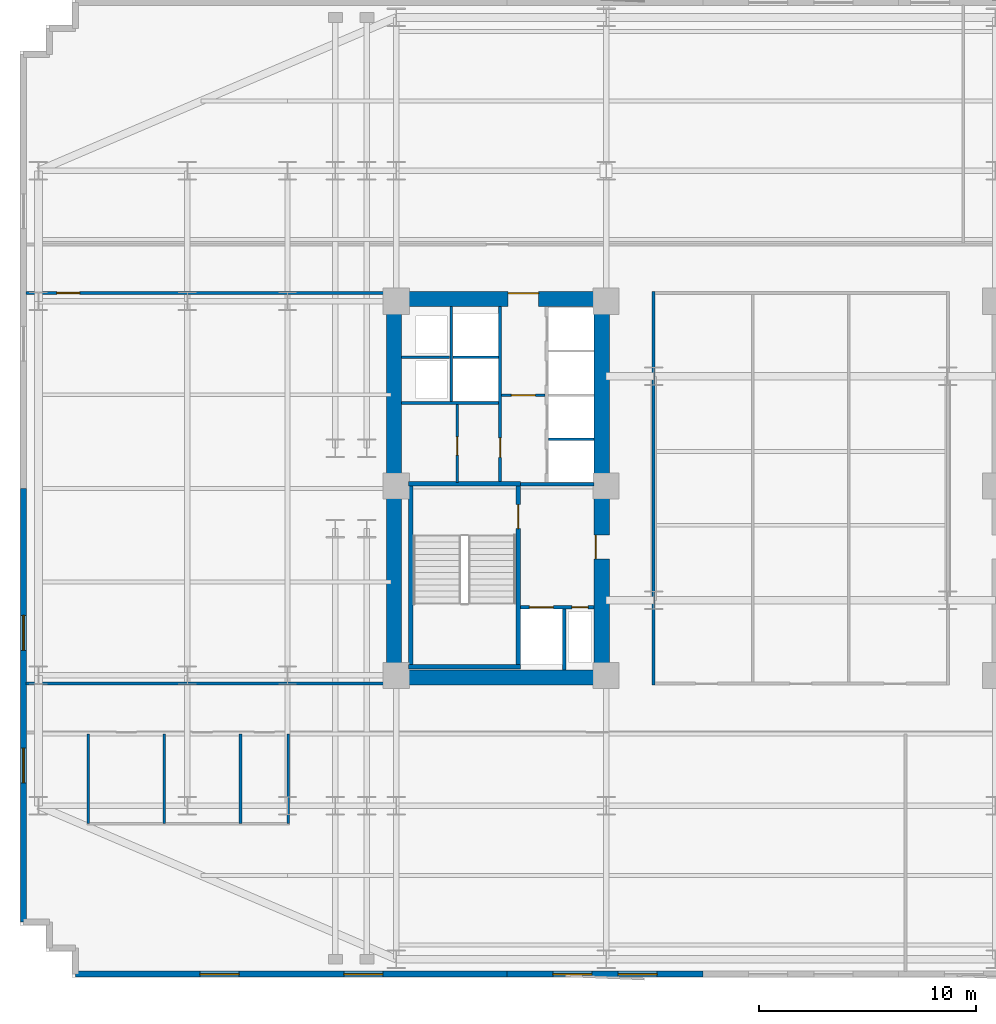
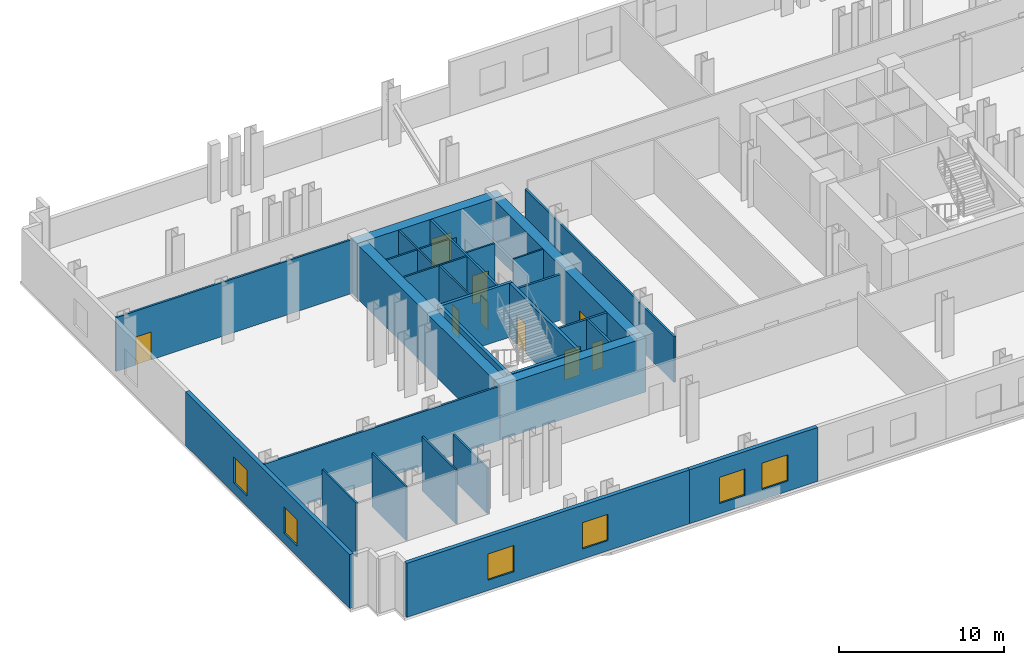
# One storey, part 4 of 9: 29 walls, 9 doors, 6 windows, 15 openings.
"""IFC4 building model written with IfcOpenShell, lengths in metres."""

from ifc_helpers import new_model, si_unit, direction, frame, frame_2d, origin, place, context, subcontext, project, spatial, rectangle, extrude, material, layer, layer_set, type_object, element, fill, save


model = new_model("IFC4")

# Units and contexts
model_context = context("Model", 3, precision=1e-05, world=origin(), true_north=direction((0.0, 1.0)))
body_context = subcontext(model_context, "Body", "Model", "MODEL_VIEW")
ifc_project = project(units=[si_unit("LENGTHUNIT", "METRE"), si_unit("AREAUNIT", "SQUARE_METRE"), si_unit("VOLUMEUNIT", "CUBIC_METRE"), si_unit("PLANEANGLEUNIT", "RADIAN"), si_unit("MASSUNIT", "GRAM", prefix="KILO")], contexts=[model_context])

# Site, building, storey
site_placement = place(None, origin())
site = spatial("IfcSite", under=ifc_project, at=site_placement, CompositionType="ELEMENT")
building_placement = place(site_placement, origin())
building = spatial("IfcBuilding", under=site, at=building_placement, Name="Velakula Bourse", CompositionType="ELEMENT")
storey_placement = place(building_placement, frame((0.0, 0.0, 65.699951171875)))
storey = spatial("IfcBuildingStorey", under=building, at=storey_placement, Name="L17", CompositionType="ELEMENT", Elevation=65.699951171875)

# Wall, opening, door
ifc_material_1 = material(Name="Concrete M50 (fck 50 MPa)", Category="concrete")
ifc_layer_1 = layer(ifc_material_1, 0.2099609375, Name="Concrete M50 (fck 50 MPa)", Category="concrete")
ifc_layer_set_1 = layer_set([ifc_layer_1], Name="Concrete M50 (fck 50 MPa)")
wall_type_1 = type_object("IfcWallType", Name="WL-CORE-210", PredefinedType="SHEAR", material=ifc_layer_set_1)
wall_1_placement = place(storey_placement, frame((-12.9951171875, -8.10009765625, 0.0), z_axis=(0.0, 0.0, 1.0), x_axis=(0.0, 1.0, 0.0)))
wall_1 = element("IfcWall", 1, at=wall_1_placement, inside=storey, type_object=wall_type_1, Name="L17 Core W Stairwell Shear Wall IN", PredefinedType="SHEAR", context=body_context, shape_type="SweptSolid", body=[
    extrude(rectangle(XDim=8.2001953125, YDim=0.2099609375, at=frame_2d((4.10009765625, 0.0))), origin(), (0.0, 0.0, 1.0), 4.02001953125),
])
opening_1_placement = place(wall_1_placement, frame((6.25, 0.0, 0.0)))
opening_1 = element("IfcOpeningElement", 2, at=opening_1_placement, cuts=wall_1, Name="Opening D-STW1", PredefinedType="OPENING", context=body_context, shape_type="SweptSolid", body=[
    extrude(rectangle(XDim=1.10009765625, YDim=2.14990234375, at=frame_2d((0.550048828125, 1.074951171875))), frame((0.0, 0.114990234375, 0.0), z_axis=(0.0, -1.0, 0.0), x_axis=(1.0, 0.0, 0.0)), (0.0, 0.0, 1.0), 0.22998046875),
])
ifc_material_2 = material(Name="Galvanised painted hollow steel fire door", Category="steel")
door_type_1 = type_object("IfcDoorType", Name="DR-FD120-1100x2150", OperationType="NOTDEFINED", PredefinedType="DOOR", material=ifc_material_2)
door_1_placement = place(opening_1_placement, origin())
door_1 = element("IfcDoor", 3, at=door_1_placement, inside=storey, type_object=door_type_1, Name="L17 Stair ST-W1 Fire Door", OperationType="SINGLE_SWING_LEFT", OverallHeight=2.14990234375, OverallWidth=1.10009765625, PredefinedType="DOOR", context=body_context, shape_type="SweptSolid", body=[
    extrude(rectangle(XDim=1.10009765625, YDim=2.14990234375, at=frame_2d((0.550048828125, 1.074951171875))), frame((0.0, 0.02490234375, 0.0), z_axis=(0.0, -1.0, 0.0), x_axis=(1.0, 0.0, 0.0)), (0.0, 0.0, 1.0), 0.050048828125),
])
fill(opening_1, door_1)

# Walls
wall_2_placement = place(storey_placement, frame((-17.925048828125, -8.10009765625, 0.0), z_axis=(0.0, 0.0, 1.0), x_axis=(0.0, 1.0, 0.0)))
element("IfcWall", 4, at=wall_2_placement, inside=storey, type_object=wall_type_1, Name="L17 Core W Stairwell Shear Wall OUT", PredefinedType="SHEAR", context=body_context, shape_type="SweptSolid", body=[
    extrude(rectangle(XDim=8.2001953125, YDim=0.2099609375, at=frame_2d((4.10009765625, 0.0))), origin(), (0.0, 0.0, 1.0), 4.02001953125),
])
for number, where, z_axis, x_axis, name in (
    (5, (-18.030029296875, -8.205078125, 0.0), (0.0, 0.0, 1.0), (1.0, 0.0, 0.0), "L17 Core W Stairwell Shear Wall S"),
    (6, (-12.889892578125, 0.205078125, 0.0), (0.0, 0.0, 1.0), (-1.0, 0.0, 0.0), "L17 Core W Stairwell Shear Wall N"),
):
    element("IfcWall", number, at=place(storey_placement, frame(where, z_axis=z_axis, x_axis=x_axis)), inside=storey, type_object=wall_type_1, Name=name, PredefinedType="SHEAR", context=body_context, shape_type="SweptSolid", body=[
        extrude(rectangle(XDim=5.14013671875, YDim=0.2099609375, at=frame_2d((2.570068359375, 0.0))), origin(), (0.0, 0.0, 1.0), 4.02001953125),
    ])
ifc_material_3 = material(Name="Concrete M70 (fck 70 MPa)", Category="concrete")
ifc_layer_2 = layer(ifc_material_3, 0.699951171875, Name="Concrete M70 (fck 70 MPa)", Category="concrete")
ifc_layer_set_2 = layer_set([ifc_layer_2], Name="Concrete M70 (fck 70 MPa)")
wall_type_2 = type_object("IfcWallType", Name="WL-CORE-700", PredefinedType="SHEAR", material=ifc_layer_set_2)
wall_3_placement = place(storey_placement, frame((-19.050048828125, -8.699951171875, 0.0), z_axis=(0.0, 0.0, 1.0), x_axis=(1.0, 0.0, 0.0)))
element("IfcWall", 7, at=wall_3_placement, inside=storey, type_object=wall_type_2, Name="L17 Core W Shear Wall S", PredefinedType="SHEAR", context=body_context, shape_type="SweptSolid", body=[
    extrude(rectangle(XDim=10.25, YDim=0.699951171875, at=frame_2d((5.125, 0.0))), origin(), (0.0, 0.0, 1.0), 4.02001953125),
])

# Wall, opening, door
wall_4_placement = place(storey_placement, frame((-19.050048828125, 8.699951171875, 0.0), z_axis=(0.0, 0.0, 1.0), x_axis=(1.0, 0.0, 0.0)))
wall_4 = element("IfcWall", 8, at=wall_4_placement, inside=storey, type_object=wall_type_2, Name="L17 Core W Shear Wall N", PredefinedType="SHEAR", context=body_context, shape_type="SweptSolid", body=[
    extrude(rectangle(XDim=10.25, YDim=0.699951171875, at=frame_2d((5.125, 0.0))), origin(), (0.0, 0.0, 1.0), 4.02001953125),
])
opening_2_placement = place(wall_4_placement, frame((5.60009765625, 0.0, 0.0)))
opening_2 = element("IfcOpeningElement", 9, at=opening_2_placement, cuts=wall_4, Name="Opening D-LLW", PredefinedType="OPENING", context=body_context, shape_type="SweptSolid", body=[
    extrude(rectangle(XDim=1.39990234375, YDim=2.050048828125, at=frame_2d((0.699951171875, 1.02490234375))), frame((0.0, 0.35986328125, 0.0), z_axis=(0.0, -1.0, 0.0), x_axis=(1.0, 0.0, 0.0)), (0.0, 0.0, 1.0), 0.719970703125),
])
ifc_material_4 = material(Name="Fire-rated hardwood flush architectural door", Category="wood")
door_type_2 = type_object("IfcDoorType", Name="DR-DBL-FD60-1400", OperationType="DOUBLE_DOOR_SINGLE_SWING", PredefinedType="DOOR", material=ifc_material_4)
door_2_placement = place(opening_2_placement, origin())
door_2 = element("IfcDoor", 10, at=door_2_placement, inside=storey, type_object=door_type_2, Name="L17 Core W Lift Lobby Corridor Double Door", OperationType="DOUBLE_DOOR_SINGLE_SWING", OverallHeight=2.050048828125, OverallWidth=1.39990234375, PredefinedType="DOOR", context=body_context, shape_type="SweptSolid", body=[
    extrude(rectangle(XDim=1.39990234375, YDim=2.050048828125, at=frame_2d((0.699951171875, 1.02490234375))), frame((0.0, 0.294921875, 0.0), z_axis=(0.0, -1.0, 0.0), x_axis=(1.0, 0.0, 0.0)), (0.0, 0.0, 1.0), 0.050048828125),
])
fill(opening_2, door_2)

# Wall
wall_5_placement = place(storey_placement, frame((-18.699951171875, -8.35009765625, 0.0), z_axis=(0.0, 0.0, 1.0), x_axis=(0.0, 1.0, 0.0)))
element("IfcWall", 11, at=wall_5_placement, inside=storey, type_object=wall_type_2, Name="L17 Core W Shear Wall W", PredefinedType="SHEAR", context=body_context, shape_type="SweptSolid", body=[
    extrude(rectangle(XDim=16.7001953125, YDim=0.699951171875, at=frame_2d((8.35009765625, 0.0))), origin(), (0.0, 0.0, 1.0), 4.02001953125),
])

# Wall, opening, door
wall_6_placement = place(storey_placement, frame((-9.14990234375, -8.35009765625, 0.0), z_axis=(0.0, 0.0, 1.0), x_axis=(0.0, 1.0, 0.0)))
wall_6 = element("IfcWall", 12, at=wall_6_placement, inside=storey, type_object=wall_type_2, Name="L17 Core W Shear Wall E", PredefinedType="SHEAR", context=body_context, shape_type="SweptSolid", body=[
    extrude(rectangle(XDim=16.7001953125, YDim=0.699951171875, at=frame_2d((8.35009765625, 0.0))), origin(), (0.0, 0.0, 1.0), 4.02001953125),
])
opening_3_placement = place(wall_6_placement, frame((5.10009765625, 0.0, 0.0)))
opening_3 = element("IfcOpeningElement", 13, at=opening_3_placement, cuts=wall_6, Name="Opening D-FLW", PredefinedType="OPENING", context=body_context, shape_type="SweptSolid", body=[
    extrude(rectangle(XDim=1.10009765625, YDim=2.080078125, at=frame_2d((0.550048828125, 1.0400390625))), frame((0.0, 0.35986328125, 0.0), z_axis=(0.0, -1.0, 0.0), x_axis=(1.0, 0.0, 0.0)), (0.0, 0.0, 1.0), 0.719970703125),
])
door_type_3 = type_object("IfcDoorType", Name="DR-FD120-1100", OperationType="NOTDEFINED", PredefinedType="DOOR", material=ifc_material_2)
door_3_placement = place(opening_3_placement, origin())
door_3 = element("IfcDoor", 14, at=door_3_placement, inside=storey, type_object=door_type_3, Name="L17 Firefighting Lobby W Corridor Fire Door", OperationType="SINGLE_SWING_LEFT", OverallHeight=2.080078125, OverallWidth=1.10009765625, PredefinedType="DOOR", context=body_context, shape_type="SweptSolid", body=[
    extrude(rectangle(XDim=1.10009765625, YDim=2.080078125, at=frame_2d((0.550048828125, 1.0400390625))), frame((0.0, 0.30517578125, 0.0), z_axis=(0.0, -1.0, 0.0), x_axis=(1.0, 0.0, 0.0)), (0.0, 0.0, 1.0), 0.050048828125),
])
fill(opening_3, door_3)

# Wall, openings, windows
ifc_material_5 = material(Name="Red kilned clay facing brick masonry", Category="masonry")
ifc_layer_3 = layer(ifc_material_5, 0.280029296875, Name="Red kilned clay facing brick masonry", Category="masonry")
ifc_layer_set_3 = layer_set([ifc_layer_3], Name="Red kilned clay facing brick masonry")
wall_type_3 = type_object("IfcWallType", Name="WL-EXT-BRK-280", PredefinedType="STANDARD", material=ifc_layer_set_3)
wall_7_placement = place(storey_placement, frame((-13.5, -22.340087890625, 0.0), z_axis=(0.0, 0.0, 1.0), x_axis=(-1.0, 0.0, 0.0)))
wall_7 = element("IfcWall", 15, at=wall_7_placement, inside=storey, type_object=wall_type_3, Name="L17 S Brick Spandrel Wall B1", PredefinedType="STANDARD", context=body_context, shape_type="SweptSolid", body=[
    extrude(rectangle(XDim=19.840087890625, YDim=0.280029296875, at=frame_2d((9.919921875, 0.0))), origin(), (0.0, 0.0, 1.0), 4.0),
])
opening_4_placement = place(wall_7_placement, frame((5.71337890625, 0.0, 0.760009765625)))
opening_4 = element("IfcOpeningElement", 16, at=opening_4_placement, cuts=wall_7, Name="Opening W-01", PredefinedType="OPENING", context=body_context, shape_type="SweptSolid", body=[
    extrude(rectangle(XDim=1.800048828125, YDim=1.949951171875, at=frame_2d((0.89990234375, 0.97509765625))), frame((0.0, 0.14990234375, 0.0), z_axis=(0.0, -1.0, 0.0), x_axis=(1.0, 0.0, 0.0)), (0.0, 0.0, 1.0), 0.300048828125),
])
opening_5_placement = place(wall_7_placement, frame((12.32666015625, 0.0, 0.760009765625)))
opening_5 = element("IfcOpeningElement", 17, at=opening_5_placement, cuts=wall_7, Name="Opening W-01", PredefinedType="OPENING", context=body_context, shape_type="SweptSolid", body=[
    extrude(rectangle(XDim=1.800048828125, YDim=1.949951171875, at=frame_2d((0.89990234375, 0.97509765625))), frame((0.0, 0.14990234375, 0.0), z_axis=(0.0, -1.0, 0.0), x_axis=(1.0, 0.0, 0.0)), (0.0, 0.0, 1.0), 0.300048828125),
])
ifc_material_6 = material(Name="Double-glazed solar-control Low-E glass", Category="glass")
window_type_1 = type_object("IfcWindowType", Name="WIN-TWR-1800x2100", PartitioningType="SINGLE_PANEL", PredefinedType="WINDOW", material=ifc_material_6)
window_1_placement = place(opening_4_placement, origin())
window_1 = element("IfcWindow", 18, at=window_1_placement, inside=storey, type_object=window_type_1, Name="L17 Deep-Set Recessed Window 1", OverallHeight=1.949951171875, OverallWidth=1.800048828125, PartitioningType="SINGLE_PANEL", PredefinedType="WINDOW", context=body_context, shape_type="SweptSolid", body=[
    extrude(rectangle(XDim=1.800048828125, YDim=1.949951171875, at=frame_2d((0.89990234375, 0.97509765625))), frame((0.0, 0.030029296875, 0.0), z_axis=(0.0, -1.0, 0.0), x_axis=(1.0, 0.0, 0.0)), (0.0, 0.0, 1.0), 0.06005859375),
])
fill(opening_4, window_1)
window_2_placement = place(opening_5_placement, origin())
window_2 = element("IfcWindow", 19, at=window_2_placement, inside=storey, type_object=window_type_1, Name="L17 Deep-Set Recessed Window 2", OverallHeight=1.949951171875, OverallWidth=1.800048828125, PartitioningType="SINGLE_PANEL", PredefinedType="WINDOW", context=body_context, shape_type="SweptSolid", body=[
    extrude(rectangle(XDim=1.800048828125, YDim=1.949951171875, at=frame_2d((0.89990234375, 0.97509765625))), frame((0.0, 0.030029296875, 0.0), z_axis=(0.0, -1.0, 0.0), x_axis=(1.0, 0.0, 0.0)), (0.0, 0.0, 1.0), 0.06005859375),
])
fill(opening_5, window_2)

wall_8_placement = place(storey_placement, frame((-4.5, -22.340087890625, 0.0), z_axis=(0.0, 0.0, 1.0), x_axis=(-1.0, 0.0, 0.0)))
wall_8 = element("IfcWall", 20, at=wall_8_placement, inside=storey, type_object=wall_type_3, Name="L17 S Brick Spandrel Wall B2", PredefinedType="STANDARD", context=body_context, shape_type="SweptSolid", body=[
    extrude(rectangle(XDim=9.0, YDim=0.280029296875, at=frame_2d((4.5, 0.0))), origin(), (0.0, 0.0, 1.0), 4.0),
])
opening_6_placement = place(wall_8_placement, frame((2.10009765625, 0.0, 0.760009765625)))
opening_6 = element("IfcOpeningElement", 21, at=opening_6_placement, cuts=wall_8, Name="Opening W-01", PredefinedType="OPENING", context=body_context, shape_type="SweptSolid", body=[
    extrude(rectangle(XDim=1.800048828125, YDim=1.949951171875, at=frame_2d((0.89990234375, 0.97509765625))), frame((0.0, 0.14990234375, 0.0), z_axis=(0.0, -1.0, 0.0), x_axis=(1.0, 0.0, 0.0)), (0.0, 0.0, 1.0), 0.300048828125),
])
opening_7_placement = place(wall_8_placement, frame((5.10009765625, 0.0, 0.760009765625)))
opening_7 = element("IfcOpeningElement", 22, at=opening_7_placement, cuts=wall_8, Name="Opening W-01", PredefinedType="OPENING", context=body_context, shape_type="SweptSolid", body=[
    extrude(rectangle(XDim=1.800048828125, YDim=1.949951171875, at=frame_2d((0.89990234375, 0.97509765625))), frame((0.0, 0.14990234375, 0.0), z_axis=(0.0, -1.0, 0.0), x_axis=(1.0, 0.0, 0.0)), (0.0, 0.0, 1.0), 0.300048828125),
])
window_3_placement = place(opening_6_placement, origin())
window_3 = element("IfcWindow", 23, at=window_3_placement, inside=storey, type_object=window_type_1, Name="L17 Deep-Set Recessed Window 1", OverallHeight=1.949951171875, OverallWidth=1.800048828125, PartitioningType="SINGLE_PANEL", PredefinedType="WINDOW", context=body_context, shape_type="SweptSolid", body=[
    extrude(rectangle(XDim=1.800048828125, YDim=1.949951171875, at=frame_2d((0.89990234375, 0.97509765625))), frame((0.0, 0.030029296875, 0.0), z_axis=(0.0, -1.0, 0.0), x_axis=(1.0, 0.0, 0.0)), (0.0, 0.0, 1.0), 0.06005859375),
])
fill(opening_6, window_3)
window_4_placement = place(opening_7_placement, origin())
window_4 = element("IfcWindow", 24, at=window_4_placement, inside=storey, type_object=window_type_1, Name="L17 Deep-Set Recessed Window 2", OverallHeight=1.949951171875, OverallWidth=1.800048828125, PartitioningType="SINGLE_PANEL", PredefinedType="WINDOW", context=body_context, shape_type="SweptSolid", body=[
    extrude(rectangle(XDim=1.800048828125, YDim=1.949951171875, at=frame_2d((0.89990234375, 0.97509765625))), frame((0.0, 0.030029296875, 0.0), z_axis=(0.0, -1.0, 0.0), x_axis=(1.0, 0.0, 0.0)), (0.0, 0.0, 1.0), 0.06005859375),
])
fill(opening_7, window_4)

wall_9_placement = place(storey_placement, frame((-35.739990234375, -19.93994140625, 0.0), z_axis=(0.0, 0.0, 1.0), x_axis=(0.0, 1.0, 0.0)))
wall_9 = element("IfcWall", 25, at=wall_9_placement, inside=storey, type_object=wall_type_3, Name="L17 W Brick End Wall W1", PredefinedType="STANDARD", context=body_context, shape_type="SweptSolid", body=[
    extrude(rectangle(XDim=19.93994140625, YDim=0.280029296875, at=frame_2d((9.969970703125, 0.0))), origin(), (0.0, 0.0, 1.0), 4.0),
])
opening_8_placement = place(wall_9_placement, frame((6.396728515625, 0.0, 0.760009765625)))
opening_8 = element("IfcOpeningElement", 26, at=opening_8_placement, cuts=wall_9, Name="Opening W-02", PredefinedType="OPENING", context=body_context, shape_type="SweptSolid", body=[
    extrude(rectangle(XDim=1.60009765625, YDim=1.949951171875, at=frame_2d((0.800048828125, 0.97509765625))), frame((0.0, 0.14990234375, 0.0), z_axis=(0.0, -1.0, 0.0), x_axis=(1.0, 0.0, 0.0)), (0.0, 0.0, 1.0), 0.300048828125),
])
opening_9_placement = place(wall_9_placement, frame((12.493408203125, 0.0, 0.760009765625)))
opening_9 = element("IfcOpeningElement", 27, at=opening_9_placement, cuts=wall_9, Name="Opening W-02", PredefinedType="OPENING", context=body_context, shape_type="SweptSolid", body=[
    extrude(rectangle(XDim=1.60009765625, YDim=1.949951171875, at=frame_2d((0.800048828125, 0.97509765625))), frame((0.0, 0.14990234375, 0.0), z_axis=(0.0, -1.0, 0.0), x_axis=(1.0, 0.0, 0.0)), (0.0, 0.0, 1.0), 0.300048828125),
])
window_type_2 = type_object("IfcWindowType", Name="WIN-TWR-1600x2100", PartitioningType="SINGLE_PANEL", PredefinedType="WINDOW", material=ifc_material_6)
window_5_placement = place(opening_8_placement, origin())
window_5 = element("IfcWindow", 28, at=window_5_placement, inside=storey, type_object=window_type_2, Name="L17 Deep-Set Recessed Window 1", OverallHeight=1.949951171875, OverallWidth=1.60009765625, PartitioningType="SINGLE_PANEL", PredefinedType="WINDOW", context=body_context, shape_type="SweptSolid", body=[
    extrude(rectangle(XDim=1.60009765625, YDim=1.949951171875, at=frame_2d((0.800048828125, 0.97509765625))), frame((0.0, 0.030029296875, 0.0), z_axis=(0.0, -1.0, 0.0), x_axis=(1.0, 0.0, 0.0)), (0.0, 0.0, 1.0), 0.06005859375),
])
fill(opening_8, window_5)
window_6_placement = place(opening_9_placement, origin())
window_6 = element("IfcWindow", 29, at=window_6_placement, inside=storey, type_object=window_type_2, Name="L17 Deep-Set Recessed Window 2", OverallHeight=1.949951171875, OverallWidth=1.60009765625, PartitioningType="SINGLE_PANEL", PredefinedType="WINDOW", context=body_context, shape_type="SweptSolid", body=[
    extrude(rectangle(XDim=1.60009765625, YDim=1.949951171875, at=frame_2d((0.800048828125, 0.97509765625))), frame((0.0, 0.030029296875, 0.0), z_axis=(0.0, -1.0, 0.0), x_axis=(1.0, 0.0, 0.0)), (0.0, 0.0, 1.0), 0.06005859375),
])
fill(opening_9, window_6)

# Wall, opening, door
ifc_material_7 = material(Name="Fire-rated double-layer gypsum drywall partition", Category="gypsum")
ifc_layer_4 = layer(ifc_material_7, 0.1201171875, Name="Fire-rated double-layer gypsum drywall partition", Category="gypsum")
ifc_layer_set_4 = layer_set([ifc_layer_4], Name="Fire-rated double-layer gypsum drywall partition")
wall_type_4 = type_object("IfcWallType", Name="WL-PART-120", PredefinedType="STANDARD", material=ifc_layer_set_4)
wall_10_placement = place(storey_placement, frame((-13.75, 4.280029296875, 0.0), z_axis=(0.0, 0.0, 1.0), x_axis=(1.0, 0.0, 0.0)))
wall_10 = element("IfcWall", 30, at=wall_10_placement, inside=storey, type_object=wall_type_4, Name="L17 Interior Partition WL-CRW-L17-LL-K2", PredefinedType="STANDARD", context=body_context, shape_type="SweptSolid", body=[
    extrude(rectangle(XDim=2.0, YDim=0.1201171875, at=frame_2d((1.0, 0.0))), origin(), (0.0, 0.0, 1.0), 4.0),
])
opening_10_placement = place(wall_10_placement, frame((0.449951171875, 0.0, 0.0)))
opening_10 = element("IfcOpeningElement", 31, at=opening_10_placement, cuts=wall_10, Name="Opening D-LK2", PredefinedType="OPENING", context=body_context, shape_type="SweptSolid", body=[
    extrude(rectangle(XDim=1.10009765625, YDim=2.10009765625, at=frame_2d((0.550048828125, 1.050048828125))), frame((0.0, 0.070068359375, 0.0), z_axis=(0.0, -1.0, 0.0), x_axis=(1.0, 0.0, 0.0)), (0.0, 0.0, 1.0), 0.14013671875),
])
door_type_4 = type_object("IfcDoorType", Name="DR-FD60-1100x2100", OperationType="NOTDEFINED", PredefinedType="DOOR", material=ifc_material_4)
door_4_placement = place(opening_10_placement, origin())
door_4 = element("IfcDoor", 32, at=door_4_placement, inside=storey, type_object=door_type_4, Name="L17 Core W Lift Lobby Zone Door", OperationType="SINGLE_SWING_RIGHT", OverallHeight=2.10009765625, OverallWidth=1.10009765625, PredefinedType="DOOR", context=body_context, shape_type="SweptSolid", body=[
    extrude(rectangle(XDim=1.10009765625, YDim=2.10009765625, at=frame_2d((0.550048828125, 1.050048828125))), frame((0.0, 0.02490234375, 0.0), z_axis=(0.0, -1.0, 0.0), x_axis=(1.0, 0.0, 0.0)), (0.0, 0.0, 1.0), 0.050048828125),
])
fill(opening_10, door_4)

# Walls
wall_11_placement = place(storey_placement, frame((-11.60009765625, 2.2548828125, 0.0), z_axis=(0.0, 0.0, 1.0), x_axis=(1.0, 0.0, 0.0)))
element("IfcWall", 33, at=wall_11_placement, inside=storey, type_object=wall_type_4, Name="L17 Interior Partition WL-CRW-L17-BDIV-0", PredefinedType="STANDARD", context=body_context, shape_type="SweptSolid", body=[
    extrude(rectangle(XDim=2.10009765625, YDim=0.110107421875, at=frame_2d((1.050048828125, 0.0))), origin(), (0.0, 0.0, 1.0), 4.0),
])
wall_12_placement = place(storey_placement, frame((-18.35009765625, 3.919921875, 0.0), z_axis=(0.0, 0.0, 1.0), x_axis=(1.0, 0.0, 0.0)))
element("IfcWall", 34, at=wall_12_placement, inside=storey, type_object=wall_type_4, Name="L17 Interior Partition WL-CRW-L17-HI-S", PredefinedType="STANDARD", context=body_context, shape_type="SweptSolid", body=[
    extrude(rectangle(XDim=4.4501953125, YDim=0.1201171875, at=frame_2d((2.22509765625, 0.0))), origin(), (0.0, 0.0, 1.0), 4.0),
])
wall_13_placement = place(storey_placement, frame((-18.35009765625, 6.030029296875, 0.0), z_axis=(0.0, 0.0, 1.0), x_axis=(1.0, 0.0, 0.0)))
element("IfcWall", 35, at=wall_13_placement, inside=storey, type_object=wall_type_4, Name="L17 Interior Partition WL-CRW-L17-RIS-MID", PredefinedType="STANDARD", context=body_context, shape_type="SweptSolid", body=[
    extrude(rectangle(XDim=2.2001953125, YDim=0.1201171875, at=frame_2d((1.10009765625, 0.0))), origin(), (0.0, 0.0, 1.0), 4.0),
])
wall_14_placement = place(storey_placement, frame((-16.074951171875, 3.97998046875, 0.0), z_axis=(0.0, 0.0, 1.0), x_axis=(0.0, 1.0, 0.0)))
element("IfcWall", 36, at=wall_14_placement, inside=storey, type_object=wall_type_4, Name="L17 Interior Partition WL-CRW-L17-RIS-F", PredefinedType="STANDARD", context=body_context, shape_type="SweptSolid", body=[
    extrude(rectangle(XDim=4.3701171875, YDim=0.1201171875, at=frame_2d((2.18505859375, 0.0))), origin(), (0.0, 0.0, 1.0), 4.0),
])
wall_15_placement = place(storey_placement, frame((-16.0, 6.030029296875, 0.0), z_axis=(0.0, 0.0, 1.0), x_axis=(1.0, 0.0, 0.0)))
element("IfcWall", 37, at=wall_15_placement, inside=storey, type_object=wall_type_4, Name="L17 Interior Partition WL-CRW-L17-HI-DIV", PredefinedType="STANDARD", context=body_context, shape_type="SweptSolid", body=[
    extrude(rectangle(XDim=2.10009765625, YDim=0.1201171875, at=frame_2d((1.050048828125, 0.0))), origin(), (0.0, 0.0, 1.0), 4.0),
])

# Wall, opening, door
wall_16_placement = place(storey_placement, frame((-15.800048828125, 0.27001953125, 0.0), z_axis=(0.0, 0.0, 1.0), x_axis=(0.0, 1.0, 0.0)))
wall_16 = element("IfcWall", 38, at=wall_16_placement, inside=storey, type_object=wall_type_4, Name="L17 Interior Partition WL-CRW-L17-K2", PredefinedType="STANDARD", context=body_context, shape_type="SweptSolid", body=[
    extrude(rectangle(XDim=3.590087890625, YDim=0.1201171875, at=frame_2d((1.794921875, 0.0))), origin(), (0.0, 0.0, 1.0), 4.0),
])
opening_11_placement = place(wall_16_placement, frame((1.25, 0.0, 0.0)))
opening_11 = element("IfcOpeningElement", 39, at=opening_11_placement, cuts=wall_16, Name="Opening D-CE1", PredefinedType="OPENING", context=body_context, shape_type="SweptSolid", body=[
    extrude(rectangle(XDim=0.85009765625, YDim=2.050048828125, at=frame_2d((0.425048828125, 1.02490234375))), frame((0.0, 0.070068359375, 0.0), z_axis=(0.0, -1.0, 0.0), x_axis=(1.0, 0.0, 0.0)), (0.0, 0.0, 1.0), 0.14013671875),
])
door_type_5 = type_object("IfcDoorType", Name="DR-INT-850", OperationType="NOTDEFINED", PredefinedType="DOOR", material=ifc_material_4)
door_5_placement = place(opening_11_placement, origin())
door_5 = element("IfcDoor", 40, at=door_5_placement, inside=storey, type_object=door_type_5, Name="L17 Core Equipment Store Door", OperationType="SINGLE_SWING_RIGHT", OverallHeight=2.050048828125, OverallWidth=0.85009765625, PredefinedType="DOOR", context=body_context, shape_type="SweptSolid", body=[
    extrude(rectangle(XDim=0.85009765625, YDim=2.050048828125, at=frame_2d((0.425048828125, 1.02490234375))), frame((0.0, 0.02490234375, 0.0), z_axis=(0.0, -1.0, 0.0), x_axis=(1.0, 0.0, 0.0)), (0.0, 0.0, 1.0), 0.050048828125),
])
fill(opening_11, door_5)

# Walls
for number, where, z_axis, x_axis, name in (
    (41, (-32.760009765625, -15.419921875, 0.0), (0.0, 0.0, 1.0), (0.0, 1.0, 0.0), "L17 Interior Partition WL-WC-L17-V1"),
    (42, (-29.260009765625, -15.419921875, 0.0), (0.0, 0.0, 1.0), (0.0, 1.0, 0.0), "L17 Interior Partition WL-WC-L17-V2"),
    (43, (-25.760009765625, -15.419921875, 0.0), (0.0, 0.0, 1.0), (0.0, 1.0, 0.0), "L17 Interior Partition WL-WC-L17-V3"),
):
    element("IfcWall", number, at=place(storey_placement, frame(where, z_axis=z_axis, x_axis=x_axis)), inside=storey, type_object=wall_type_4, Name=name, PredefinedType="STANDARD", context=body_context, shape_type="SweptSolid", body=[
        extrude(rectangle(XDim=4.1298828125, YDim=0.1201171875, at=frame_2d((2.06494140625, 0.0))), origin(), (0.0, 0.0, 1.0), 4.0),
    ])
wall_17_placement = place(storey_placement, frame((-23.56005859375, -15.419921875, 0.0), z_axis=(0.0, 0.0, 1.0), x_axis=(0.0, 1.0, 0.0)))
element("IfcWall", 44, at=wall_17_placement, inside=storey, type_object=wall_type_4, Name="L17 Interior Partition WL-WC-L17-V4", PredefinedType="STANDARD", context=body_context, shape_type="SweptSolid", body=[
    extrude(rectangle(XDim=4.1298828125, YDim=0.1201171875, at=frame_2d((2.06494140625, 0.0))), origin(), (0.0, 0.0, 1.0), 3.39501953125),
])

# Wall, opening, door
ifc_layer_5 = layer(ifc_material_7, 0.139892578125, Name="Fire-rated double-layer gypsum drywall partition", Category="gypsum")
ifc_layer_set_5 = layer_set([ifc_layer_5], Name="Fire-rated double-layer gypsum drywall partition")
wall_type_5 = type_object("IfcWallType", Name="WL-PART-140", PredefinedType="STANDARD", material=ifc_layer_set_5)
wall_18_placement = place(storey_placement, frame((-35.6201171875, 8.97998046875, 0.0), z_axis=(0.0, 0.0, 1.0), x_axis=(1.0, 0.0, 0.0)))
wall_18 = element("IfcWall", 45, at=wall_18_placement, inside=storey, type_object=wall_type_5, Name="L17 Interior Partition WL-INT-L17-W-NC", PredefinedType="STANDARD", context=body_context, shape_type="SweptSolid", body=[
    extrude(rectangle(XDim=16.570068359375, YDim=0.139892578125, at=frame_2d((8.28515625, 0.0))), origin(), (0.0, 0.0, 1.0), 4.0),
])
opening_12_placement = place(wall_18_placement, frame((1.4140625, 0.0, 0.0)))
opening_12 = element("IfcOpeningElement", 46, at=opening_12_placement, cuts=wall_18, Name="Opening D-OF2", PredefinedType="OPENING", context=body_context, shape_type="SweptSolid", body=[
    extrude(rectangle(XDim=1.050048828125, YDim=2.080078125, at=frame_2d((0.52490234375, 1.0400390625))), frame((0.0, 0.079833984375, 0.0), z_axis=(0.0, -1.0, 0.0), x_axis=(1.0, 0.0, 0.0)), (0.0, 0.0, 1.0), 0.159912109375),
])
door_type_6 = type_object("IfcDoorType", Name="DR-OFF-1050", OperationType="NOTDEFINED", PredefinedType="DOOR", material=ifc_material_4)
door_6_placement = place(opening_12_placement, origin())
door_6 = element("IfcDoor", 47, at=door_6_placement, inside=storey, type_object=door_type_6, Name="L17 Economic Reference Library Door", OperationType="SINGLE_SWING_RIGHT", OverallHeight=2.080078125, OverallWidth=1.050048828125, PredefinedType="DOOR", context=body_context, shape_type="SweptSolid", body=[
    extrude(rectangle(XDim=1.050048828125, YDim=2.080078125, at=frame_2d((0.52490234375, 1.0400390625))), frame((0.0, 0.02490234375, 0.0), z_axis=(0.0, -1.0, 0.0), x_axis=(1.0, 0.0, 0.0)), (0.0, 0.0, 1.0), 0.050048828125),
])
fill(opening_12, door_6)

# Walls
wall_19_placement = place(storey_placement, frame((-35.6201171875, -8.97998046875, 0.0), z_axis=(0.0, 0.0, 1.0), x_axis=(1.0, 0.0, 0.0)))
element("IfcWall", 48, at=wall_19_placement, inside=storey, type_object=wall_type_5, Name="L17 Interior Partition WL-INT-L17-W-SC", PredefinedType="STANDARD", context=body_context, shape_type="SweptSolid", body=[
    extrude(rectangle(XDim=16.570068359375, YDim=0.139892578125, at=frame_2d((8.28515625, 0.0))), origin(), (0.0, 0.0, 1.0), 4.0),
])
wall_20_placement = place(storey_placement, frame((-6.780029296875, -9.050048828125, 0.0), z_axis=(0.0, 0.0, 1.0), x_axis=(0.0, 1.0, 0.0)))
element("IfcWall", 49, at=wall_20_placement, inside=storey, type_object=wall_type_5, Name="L17 Interior Partition WL-INT-L17-MID-W", PredefinedType="STANDARD", context=body_context, shape_type="SweptSolid", body=[
    extrude(rectangle(XDim=18.10009765625, YDim=0.139892578125, at=frame_2d((9.050048828125, 0.0))), origin(), (0.0, 0.0, 1.0), 3.39501953125),
])

# Wall, openings, doors
ifc_material_8 = material(Name="Autoclaved aerated concrete blockwork masonry", Category="masonry")
ifc_layer_6 = layer(ifc_material_8, 0.14990234375, Name="Autoclaved aerated concrete blockwork masonry", Category="masonry")
ifc_layer_set_6 = layer_set([ifc_layer_6], Name="Autoclaved aerated concrete blockwork masonry")
wall_type_6 = type_object("IfcWallType", Name="WL-SHAFT-150", PredefinedType="STANDARD", material=ifc_layer_set_6)
wall_21_placement = place(storey_placement, frame((-12.89501953125, -5.47509765625, 0.0), z_axis=(0.0, 0.0, 1.0), x_axis=(1.0, 0.0, 0.0)))
wall_21 = element("IfcWall", 50, at=wall_21_placement, inside=storey, type_object=wall_type_6, Name="L17 Interior Partition WL-CRW-L17-FFL-N", PredefinedType="STANDARD", context=body_context, shape_type="SweptSolid", body=[
    extrude(rectangle(XDim=3.39501953125, YDim=0.14990234375, at=frame_2d((1.697509765625, 0.0))), origin(), (0.0, 0.0, 1.0), 4.0),
])
opening_13_placement = place(wall_21_placement, frame((0.419921875, 0.0, 0.0)))
opening_13 = element("IfcOpeningElement", 51, at=opening_13_placement, cuts=wall_21, Name="Opening LD-FFL-1", PredefinedType="OPENING", context=body_context, shape_type="SweptSolid", body=[
    extrude(rectangle(XDim=1.10009765625, YDim=2.14990234375, at=frame_2d((0.550048828125, 1.074951171875))), frame((0.0, 0.0849609375, 0.0), z_axis=(0.0, -1.0, 0.0), x_axis=(1.0, 0.0, 0.0)), (0.0, 0.0, 1.0), 0.169921875),
])
opening_14_placement = place(wall_21_placement, frame((2.3701171875, 0.0, 0.0)))
opening_14 = element("IfcOpeningElement", 52, at=opening_14_placement, cuts=wall_21, Name="Opening D-RS1", PredefinedType="OPENING", context=body_context, shape_type="SweptSolid", body=[
    extrude(rectangle(XDim=0.75, YDim=2.050048828125, at=frame_2d((0.375, 1.02490234375))), frame((0.0, 0.0849609375, 0.0), z_axis=(0.0, -1.0, 0.0), x_axis=(1.0, 0.0, 0.0)), (0.0, 0.0, 1.0), 0.169921875),
])
door_type_7 = type_object("IfcDoorType", Name="DR-RISER-800", OperationType="NOTDEFINED", PredefinedType="DOOR", material=ifc_material_2)
door_7_placement = place(opening_14_placement, origin())
door_7 = element("IfcDoor", 53, at=door_7_placement, inside=storey, type_object=door_type_7, Name="L17 Fire Riser Access Door", OperationType="SINGLE_SWING_LEFT", OverallHeight=2.050048828125, OverallWidth=0.75, PredefinedType="DOOR", context=body_context, shape_type="SweptSolid", body=[
    extrude(rectangle(XDim=0.75, YDim=2.050048828125, at=frame_2d((0.375, 1.02490234375))), frame((0.0, 0.02490234375, 0.0), z_axis=(0.0, -1.0, 0.0), x_axis=(1.0, 0.0, 0.0)), (0.0, 0.0, 1.0), 0.050048828125),
])
fill(opening_14, door_7)
ifc_material_9 = material(Name="Brushed grade 316 stainless steel", Category="steel")
door_type_8 = type_object("IfcDoorType", Name="DR-SLIDE-FFL-1100", OperationType="DOUBLE_DOOR_SLIDING", PredefinedType="DOOR", material=ifc_material_9)
door_8_placement = place(opening_13_placement, origin())
door_8 = element("IfcDoor", 54, at=door_8_placement, inside=storey, type_object=door_type_8, Name="L17 Firefighting Lift FFL-1 Sliding Landing Door", OperationType="DOUBLE_DOOR_SLIDING", OverallHeight=2.14990234375, OverallWidth=1.10009765625, PredefinedType="DOOR", context=body_context, shape_type="SweptSolid", body=[
    extrude(rectangle(XDim=1.10009765625, YDim=2.14990234375, at=frame_2d((0.550048828125, 1.074951171875))), frame((0.0, 0.02490234375, 0.0), z_axis=(0.0, -1.0, 0.0), x_axis=(1.0, 0.0, 0.0)), (0.0, 0.0, 1.0), 0.050048828125),
])
fill(opening_13, door_8)

# Walls
wall_22_placement = place(storey_placement, frame((-10.875, -8.35009765625, 0.0), z_axis=(0.0, 0.0, 1.0), x_axis=(0.0, 1.0, 0.0)))
element("IfcWall", 55, at=wall_22_placement, inside=storey, type_object=wall_type_6, Name="L17 Interior Partition WL-CRW-L17-FR-DIV", PredefinedType="STANDARD", context=body_context, shape_type="SweptSolid", body=[
    extrude(rectangle(XDim=2.800048828125, YDim=0.14990234375, at=frame_2d((1.39990234375, 0.0))), origin(), (0.0, 0.0, 1.0), 4.0),
])
wall_23_placement = place(storey_placement, frame((-12.889892578125, 0.18994140625, 0.0), z_axis=(0.0, 0.0, 1.0), x_axis=(1.0, 0.0, 0.0)))
element("IfcWall", 56, at=wall_23_placement, inside=storey, type_object=wall_type_6, Name="L17 Interior Partition WL-CRW-L17-FF-TOP", PredefinedType="STANDARD", context=body_context, shape_type="SweptSolid", body=[
    extrude(rectangle(XDim=3.389892578125, YDim=0.14990234375, at=frame_2d((1.69482421875, 0.0))), origin(), (0.0, 0.0, 1.0), 3.39501953125),
])

# Wall, opening, door
wall_24_placement = place(storey_placement, frame((-13.824951171875, 0.27001953125, 0.0), z_axis=(0.0, 0.0, 1.0), x_axis=(0.0, 1.0, 0.0)))
wall_24 = element("IfcWall", 57, at=wall_24_placement, inside=storey, type_object=wall_type_6, Name="L17 Interior Partition WL-CRW-L17-OUT-F", PredefinedType="STANDARD", context=body_context, shape_type="SweptSolid", body=[
    extrude(rectangle(XDim=8.080078125, YDim=0.14990234375, at=frame_2d((4.0400390625, 0.0))), origin(), (0.0, 0.0, 1.0), 4.0),
])
opening_15_placement = place(wall_24_placement, frame((1.14990234375, 0.0, 0.0)))
opening_15 = element("IfcOpeningElement", 58, at=opening_15_placement, cuts=wall_24, Name="Opening D-CP1", PredefinedType="OPENING", context=body_context, shape_type="SweptSolid", body=[
    extrude(rectangle(XDim=0.89990234375, YDim=2.050048828125, at=frame_2d((0.449951171875, 1.02490234375))), frame((0.0, 0.0849609375, 0.0), z_axis=(0.0, -1.0, 0.0), x_axis=(1.0, 0.0, 0.0)), (0.0, 0.0, 1.0), 0.169921875),
])
door_type_9 = type_object("IfcDoorType", Name="DR-INT-900", OperationType="NOTDEFINED", PredefinedType="DOOR", material=ifc_material_4)
door_9_placement = place(opening_15_placement, origin())
door_9 = element("IfcDoor", 59, at=door_9_placement, inside=storey, type_object=door_type_9, Name="L17 Core Tea Pantry Door", OperationType="SINGLE_SWING_LEFT", OverallHeight=2.050048828125, OverallWidth=0.89990234375, PredefinedType="DOOR", context=body_context, shape_type="SweptSolid", body=[
    extrude(rectangle(XDim=0.89990234375, YDim=2.050048828125, at=frame_2d((0.449951171875, 1.02490234375))), frame((0.0, 0.02490234375, 0.0), z_axis=(0.0, -1.0, 0.0), x_axis=(1.0, 0.0, 0.0)), (0.0, 0.0, 1.0), 0.050048828125),
])
fill(opening_15, door_9)

save(model, "model.ifc")
